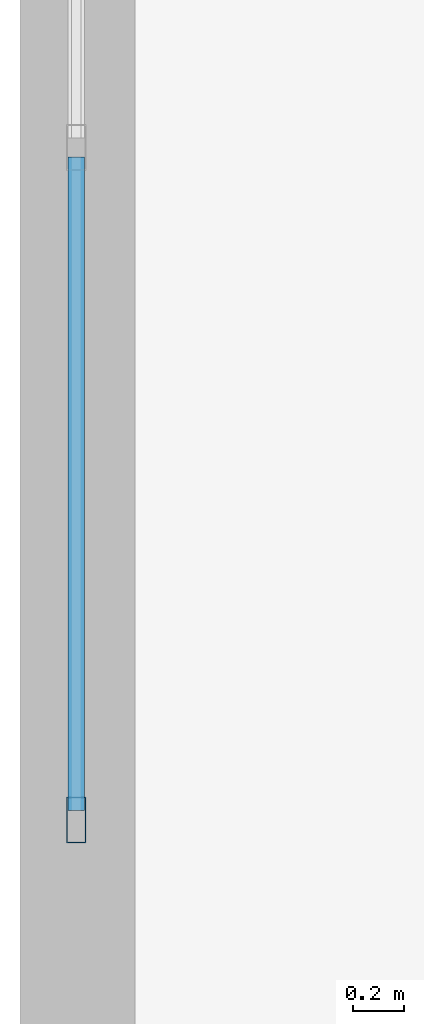
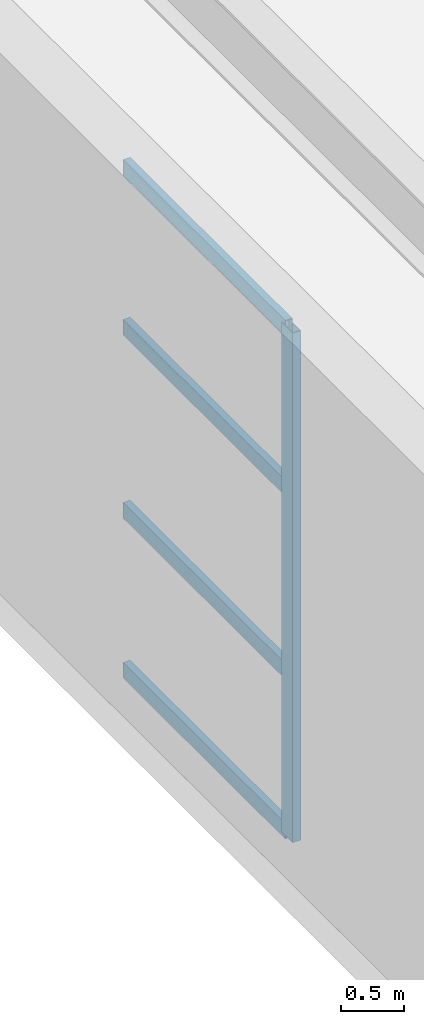
# One storey, part 4 of 35: 5 members, 1 element without a shape of its own.
"""IFC4 building model written with IfcOpenShell, lengths in metres."""

from ifc_helpers import new_model, si_unit, direction, frame, origin, origin_2d, place, context, subcontext, project, spatial, hollow_rectangle, extrude, material, layer, layer_set, material_profile, profile_set, type_object, element, aggregate, save


model = new_model("IFC4")

# Units and contexts
model_context = context("Model", 3, precision=1e-05, world=origin(), true_north=direction((0.0, 1.0)))
body_context = subcontext(model_context, "Body", "Model", "MODEL_VIEW")
ifc_project = project(units=[si_unit("LENGTHUNIT", "METRE"), si_unit("AREAUNIT", "SQUARE_METRE"), si_unit("VOLUMEUNIT", "CUBIC_METRE"), si_unit("PLANEANGLEUNIT", "RADIAN"), si_unit("MASSUNIT", "GRAM", prefix="KILO")], contexts=[model_context])

# Site, building, storey
site_placement = place(None, origin())
site = spatial("IfcSite", under=ifc_project, at=site_placement, CompositionType="ELEMENT")
building_placement = place(site_placement, origin())
building = spatial("IfcBuilding", under=site, at=building_placement, Name="Qiaolan Cultural Towers", CompositionType="ELEMENT")
storey_placement = place(building_placement, frame((0.0, 0.0, 6.0)))
storey = spatial("IfcBuildingStorey", under=building, at=storey_placement, Name="L01", CompositionType="ELEMENT", Elevation=6.0)

# Curtain wall, members
ifc_material_1 = material(Name="Unitized Anodized Aluminium Curtain Wall System", Category="aluminium")
ifc_layer = layer(ifc_material_1, 0.199951171875)
ifc_layer_set = layer_set([ifc_layer], Name="Unitized Anodized Aluminium Curtain Wall System")
curtain_wall_type = type_object("IfcCurtainWallType", Name="CWS-04", PredefinedType="NOTDEFINED", material=ifc_layer_set)
curtain_wall_placement = place(storey_placement, origin())
curtain_wall = element("IfcCurtainWall", 1, at=curtain_wall_placement, inside=storey, type_object=curtain_wall_type, Name="L01 West Exhibition Foyer Curtain Wall", PredefinedType="NOTDEFINED")
ifc_material_2 = material(Name="Extruded Aluminium 6063-T6", Category="aluminium")
ifc_material_profile_1 = material_profile(ifc_material_2, hollow_rectangle(XDim=0.074951171875, YDim=0.179931640625, WallThickness=0.00390625, at=origin_2d()), Name="CWM-180x75x4")
ifc_profile_set_1 = profile_set([ifc_material_profile_1], Name="Extruded Aluminium 6063-T6")
member_type_1 = type_object("IfcMemberType", Name="CWS-04-MUL", PredefinedType="MULLION", material=ifc_profile_set_1)
member_1_placement = place(storey_placement, frame((0.219970703125, 30.03759765625, 0.14990234375), z_axis=(0.0, 0.0, 1.0), x_axis=(-1.0, 0.0, 0.0)))
member_1 = element("IfcMember", 2, at=member_1_placement, type_object=member_type_1, Name="CW-4 mullion 1", PredefinedType="MULLION", context=body_context, shape_type="SweptSolid", body=[
    extrude(hollow_rectangle(XDim=0.074951171875, YDim=0.179931640625, WallThickness=0.00390625, at=origin_2d()), origin(), (0.0, 0.0, 1.0), 4.900146484375),
])
ifc_material_3 = material(Name="Extruded Aluminium 6063-T6", Category="aluminium")
ifc_material_profile_2 = material_profile(ifc_material_3, hollow_rectangle(XDim=0.06494140625, YDim=0.14990234375, WallThickness=0.00390625, at=origin_2d()), Name="CWT-150x65x4")
ifc_profile_set_2 = profile_set([ifc_material_profile_2], Name="Extruded Aluminium 6063-T6")
member_type_2 = type_object("IfcMemberType", Name="CWS-04-TRN", PredefinedType="USERDEFINED", material=ifc_profile_set_2)
member_2_placement = place(storey_placement, frame((0.219970703125, 30.074951171875, 0.1826171875), z_axis=(0.0, 1.0, 0.0), x_axis=(-1.0, 0.0, 0.0)))
member_2 = element("IfcMember", 3, at=member_2_placement, type_object=member_type_2, Name="CW-4 transom 1.1", ObjectType="TRANSOM", PredefinedType="USERDEFINED", context=body_context, shape_type="SweptSolid", body=[
    extrude(hollow_rectangle(XDim=0.06494140625, YDim=0.14990234375, WallThickness=0.00390625, at=origin_2d()), origin(), (0.0, 0.0, 1.0), 2.55419921875),
])
member_3_placement = place(storey_placement, frame((0.219970703125, 30.074951171875, 1.719970703125), z_axis=(0.0, 1.0, 0.0), x_axis=(-1.0, 0.0, 0.0)))
member_3 = element("IfcMember", 4, at=member_3_placement, type_object=member_type_2, Name="CW-4 transom 1.2", ObjectType="TRANSOM", PredefinedType="USERDEFINED", context=body_context, shape_type="SweptSolid", body=[
    extrude(hollow_rectangle(XDim=0.06494140625, YDim=0.14990234375, WallThickness=0.00390625, at=origin_2d()), origin(), (0.0, 0.0, 1.0), 2.55419921875),
])
member_4_placement = place(storey_placement, frame((0.219970703125, 30.074951171875, 3.47998046875), z_axis=(0.0, 1.0, 0.0), x_axis=(-1.0, 0.0, 0.0)))
member_4 = element("IfcMember", 5, at=member_4_placement, type_object=member_type_2, Name="CW-4 transom 1.3", ObjectType="TRANSOM", PredefinedType="USERDEFINED", context=body_context, shape_type="SweptSolid", body=[
    extrude(hollow_rectangle(XDim=0.06494140625, YDim=0.14990234375, WallThickness=0.00390625, at=origin_2d()), origin(), (0.0, 0.0, 1.0), 2.55419921875),
])
member_5_placement = place(storey_placement, frame((0.219970703125, 30.074951171875, 5.017578125), z_axis=(0.0, 1.0, 0.0), x_axis=(-1.0, 0.0, 0.0)))
member_5 = element("IfcMember", 6, at=member_5_placement, type_object=member_type_2, Name="CW-4 transom 1.4", ObjectType="TRANSOM", PredefinedType="USERDEFINED", context=body_context, shape_type="SweptSolid", body=[
    extrude(hollow_rectangle(XDim=0.06494140625, YDim=0.14990234375, WallThickness=0.00390625, at=origin_2d()), origin(), (0.0, 0.0, 1.0), 2.55419921875),
])
aggregate(curtain_wall, [member_1, member_2, member_3, member_4, member_5])

save(model, "model.ifc")
